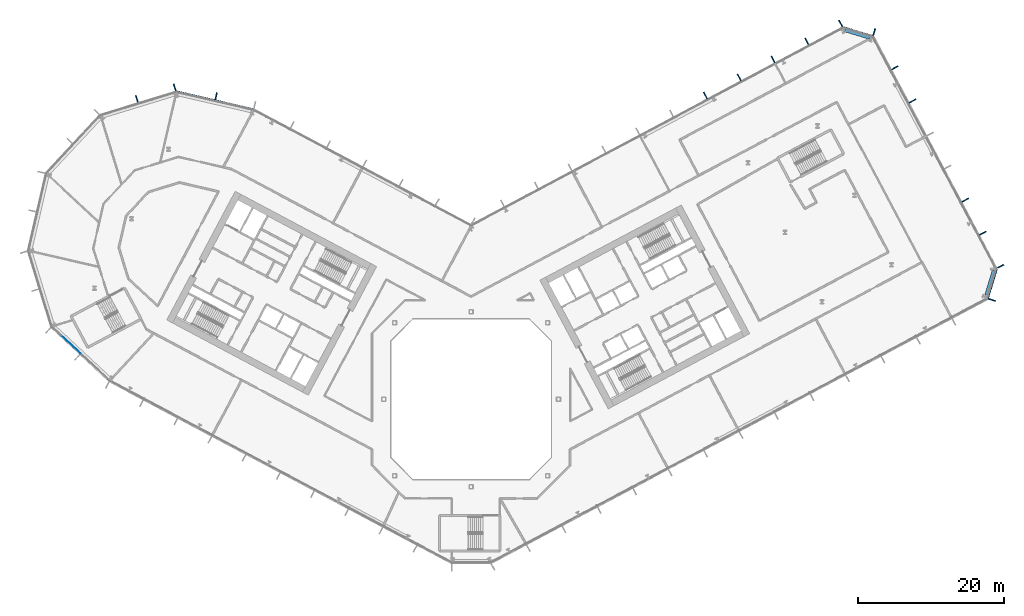
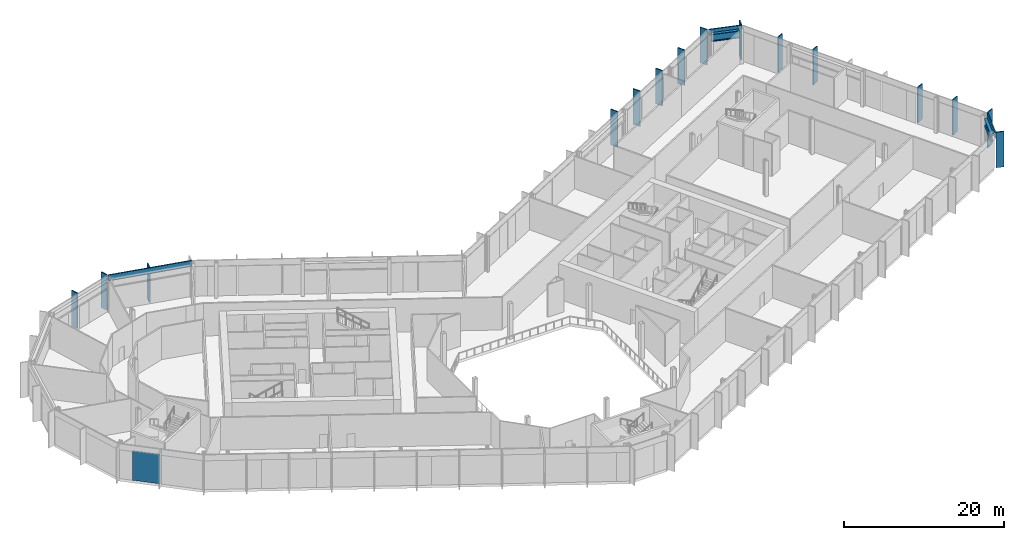
# One storey, part 8 of 31: 18 members, 2 beams, 1 plate, 7 elements without a shape of their own.
"""IFC4 building model written with IfcOpenShell, lengths in metres."""

from ifc_helpers import new_model, si_unit, direction, frame, origin, origin_2d, place, context, subcontext, project, spatial, rectangle, i_section, extrude, material, layer, layer_set, material_profile, profile_set, type_object, element, aggregate, save


model = new_model("IFC4")

# Units and contexts
model_context = context("Model", 3, precision=1e-05, world=origin(), true_north=direction((0.0, 1.0)))
body_context = subcontext(model_context, "Body", "Model", "MODEL_VIEW")
ifc_project = project(units=[si_unit("LENGTHUNIT", "METRE"), si_unit("AREAUNIT", "SQUARE_METRE"), si_unit("VOLUMEUNIT", "CUBIC_METRE"), si_unit("PLANEANGLEUNIT", "RADIAN"), si_unit("MASSUNIT", "GRAM", prefix="KILO")], contexts=[model_context])

# Site, building, storey
site_placement = place(None, origin())
site = spatial("IfcSite", under=ifc_project, at=site_placement, CompositionType="ELEMENT")
building_placement = place(site_placement, origin())
building = spatial("IfcBuilding", under=site, at=building_placement, Name="Cormorant Relay Tower", CompositionType="ELEMENT")
storey_placement = place(building_placement, frame((0.0, 0.0, 50.0)))
storey = spatial("IfcBuildingStorey", under=building, at=storey_placement, Name="L09", CompositionType="ELEMENT", Elevation=50.0)

# Curtain wall, member
ifc_material_1 = material(Name="Aluminium 6063-T6 anodised bronze", Category="aluminium")
ifc_layer_1 = layer(ifc_material_1, 0.235107421875)
ifc_layer_set_1 = layer_set([ifc_layer_1], Name="CW6 data hall curtain wall with mineral wool panels")
curtain_wall_type = type_object("IfcCurtainWallType", Name="CW6 data hall curtain wall with mineral wool panels", PredefinedType="NOTDEFINED", material=ifc_layer_set_1)
curtain_wall_1_placement = place(storey_placement, origin())
curtain_wall_1 = element("IfcCurtainWall", 1, at=curtain_wall_1_placement, inside=storey, type_object=curtain_wall_type, Name="CW6 curtain wall 3", PredefinedType="NOTDEFINED")
ifc_material_2 = material(Name="Aluminium 6063-T6 anodised bronze", Category="aluminium")
ifc_material_profile_1 = material_profile(ifc_material_2, rectangle(XDim=0.14990234375, YDim=1.0, at=origin_2d()), Name="AL 150x1000")
ifc_profile_set_1 = profile_set([ifc_material_profile_1], Name="Aluminium 6063-T6 anodised bronze")
member_type_1 = type_object("IfcMemberType", Name="CW6 bronze fin mullion 150 x 1000", PredefinedType="MULLION", material=ifc_profile_set_1)
member_1_placement = place(storey_placement, frame((71.485107421875, 13.63671875, 0.0), z_axis=(0.0, 0.0, 1.0), x_axis=(0.292371704723, 0.956304755963, 0.0)))
member_1 = element("IfcMember", 2, at=member_1_placement, type_object=member_type_1, Name="CW6 fin 3.1", PredefinedType="MULLION", context=body_context, shape_type="SweptSolid", body=[
    extrude(rectangle(XDim=0.14990234375, YDim=1.0, at=origin_2d()), origin(), (0.0, 0.0, 1.0), 5.39990234375),
])

# Curtain wall, members
curtain_wall_2_placement = place(storey_placement, origin())
curtain_wall_2 = element("IfcCurtainWall", 3, at=curtain_wall_2_placement, inside=storey, type_object=curtain_wall_type, Name="CW6 curtain wall 4", PredefinedType="NOTDEFINED")
member_2_placement = place(storey_placement, frame((72.671630859375, 18.25390625, 0.0), z_axis=(0.0, 0.0, 1.0), x_axis=(-0.469471562786, 0.882947592859, 0.0)))
member_2 = element("IfcMember", 4, at=member_2_placement, type_object=member_type_1, Name="CW6 fin 4.1", PredefinedType="MULLION", context=body_context, shape_type="SweptSolid", body=[
    extrude(rectangle(XDim=0.14990234375, YDim=1.0, at=origin_2d()), origin(), (0.0, 0.0, 1.0), 5.39990234375),
])
member_3_placement = place(storey_placement, frame((70.25732421875, 22.794921875, 0.0), z_axis=(0.0, 0.0, 1.0), x_axis=(-0.469471562786, 0.882947592859, 0.0)))
member_3 = element("IfcMember", 5, at=member_3_placement, type_object=member_type_1, Name="CW6 fin 4.2", PredefinedType="MULLION", context=body_context, shape_type="SweptSolid", body=[
    extrude(rectangle(XDim=0.14990234375, YDim=1.0, at=origin_2d()), origin(), (0.0, 0.0, 1.0), 5.39990234375),
])
member_4_placement = place(storey_placement, frame((67.8427734375, 27.335693359375, 0.0), z_axis=(0.0, 0.0, 1.0), x_axis=(-0.469471562786, 0.882947592859, 0.0)))
member_4 = element("IfcMember", 6, at=member_4_placement, type_object=member_type_1, Name="CW6 fin 4.3", PredefinedType="MULLION", context=body_context, shape_type="SweptSolid", body=[
    extrude(rectangle(XDim=0.14990234375, YDim=1.0, at=origin_2d()), origin(), (0.0, 0.0, 1.0), 5.39990234375),
])
member_5_placement = place(storey_placement, frame((60.599609375, 40.958251953125, 0.0), z_axis=(0.0, 0.0, 1.0), x_axis=(-0.469471562786, 0.882947592859, 0.0)))
member_5 = element("IfcMember", 7, at=member_5_placement, type_object=member_type_1, Name="CW6 fin 4.6", PredefinedType="MULLION", context=body_context, shape_type="SweptSolid", body=[
    extrude(rectangle(XDim=0.14990234375, YDim=1.0, at=origin_2d()), origin(), (0.0, 0.0, 1.0), 5.39990234375),
])
member_6_placement = place(storey_placement, frame((58.18505859375, 45.499267578125, 0.0), z_axis=(0.0, 0.0, 1.0), x_axis=(-0.469471562786, 0.882947592859, 0.0)))
member_6 = element("IfcMember", 8, at=member_6_placement, type_object=member_type_1, Name="CW6 fin 4.7", PredefinedType="MULLION", context=body_context, shape_type="SweptSolid", body=[
    extrude(rectangle(XDim=0.14990234375, YDim=1.0, at=origin_2d()), origin(), (0.0, 0.0, 1.0), 5.39990234375),
])
aggregate(curtain_wall_2, [member_2, member_3, member_4, member_5, member_6])

# Curtain wall, member
curtain_wall_3_placement = place(storey_placement, origin())
curtain_wall_3 = element("IfcCurtainWall", 9, at=curtain_wall_3_placement, inside=storey, type_object=curtain_wall_type, Name="CW6 curtain wall 5", PredefinedType="NOTDEFINED")
member_7_placement = place(storey_placement, frame((55.336669921875, 50.39794921875, 0.0), z_axis=(0.0, 0.0, 1.0), x_axis=(-0.956304755963, 0.292371704723, 0.0)))
member_7 = element("IfcMember", 10, at=member_7_placement, type_object=member_type_1, Name="CW6 fin 5.1", PredefinedType="MULLION", context=body_context, shape_type="SweptSolid", body=[
    extrude(rectangle(XDim=0.14990234375, YDim=1.0, at=origin_2d()), origin(), (0.0, 0.0, 1.0), 5.39990234375),
])

# Curtain wall, members
curtain_wall_4_placement = place(storey_placement, origin())
curtain_wall_4 = element("IfcCurtainWall", 11, at=curtain_wall_4_placement, inside=storey, type_object=curtain_wall_type, Name="CW6 curtain wall 6", PredefinedType="NOTDEFINED")
member_8_placement = place(storey_placement, frame((50.719482421875, 51.58447265625, 0.0), z_axis=(0.0, 0.0, 1.0), x_axis=(-0.882947592859, -0.469471562786, 0.0)))
member_8 = element("IfcMember", 12, at=member_8_placement, type_object=member_type_1, Name="CW6 fin 6.1", PredefinedType="MULLION", context=body_context, shape_type="SweptSolid", body=[
    extrude(rectangle(XDim=0.14990234375, YDim=1.0, at=origin_2d()), origin(), (0.0, 0.0, 1.0), 5.39990234375),
])
member_9_placement = place(storey_placement, frame((46.0771484375, 49.1162109375, 0.0), z_axis=(0.0, 0.0, 1.0), x_axis=(-0.882947592859, -0.469471562786, 0.0)))
member_9 = element("IfcMember", 13, at=member_9_placement, type_object=member_type_1, Name="CW6 fin 6.2", PredefinedType="MULLION", context=body_context, shape_type="SweptSolid", body=[
    extrude(rectangle(XDim=0.14990234375, YDim=1.0, at=origin_2d()), origin(), (0.0, 0.0, 1.0), 5.39990234375),
])
member_10_placement = place(storey_placement, frame((41.43505859375, 46.647705078125, 0.0), z_axis=(0.0, 0.0, 1.0), x_axis=(-0.882947592859, -0.469471562786, 0.0)))
member_10 = element("IfcMember", 14, at=member_10_placement, type_object=member_type_1, Name="CW6 fin 6.3", PredefinedType="MULLION", context=body_context, shape_type="SweptSolid", body=[
    extrude(rectangle(XDim=0.14990234375, YDim=1.0, at=origin_2d()), origin(), (0.0, 0.0, 1.0), 5.39990234375),
])
member_11_placement = place(storey_placement, frame((36.792724609375, 44.179443359375, 0.0), z_axis=(0.0, 0.0, 1.0), x_axis=(-0.882947592859, -0.469471562786, 0.0)))
member_11 = element("IfcMember", 15, at=member_11_placement, type_object=member_type_1, Name="CW6 fin 6.4", PredefinedType="MULLION", context=body_context, shape_type="SweptSolid", body=[
    extrude(rectangle(XDim=0.14990234375, YDim=1.0, at=origin_2d()), origin(), (0.0, 0.0, 1.0), 5.39990234375),
])
member_12_placement = place(storey_placement, frame((32.150390625, 41.711181640625, 0.0), z_axis=(0.0, 0.0, 1.0), x_axis=(-0.882947592859, -0.469471562786, 0.0)))
member_12 = element("IfcMember", 16, at=member_12_placement, type_object=member_type_1, Name="CW6 fin 6.5", PredefinedType="MULLION", context=body_context, shape_type="SweptSolid", body=[
    extrude(rectangle(XDim=0.14990234375, YDim=1.0, at=origin_2d()), origin(), (0.0, 0.0, 1.0), 5.39990234375),
])
aggregate(curtain_wall_4, [member_8, member_9, member_10, member_11, member_12])

# Curtain wall, member
curtain_wall_5_placement = place(storey_placement, origin())
curtain_wall_5 = element("IfcCurtainWall", 17, at=curtain_wall_5_placement, inside=storey, type_object=curtain_wall_type, Name="CW6 curtain wall 8", PredefinedType="NOTDEFINED")
member_13_placement = place(storey_placement, frame((-35.00439453125, 41.60693359375, 0.0), z_axis=(0.0, 0.0, 1.0), x_axis=(-0.974370064785, 0.224951054344, 0.0)))
member_13 = element("IfcMember", 18, at=member_13_placement, type_object=member_type_1, Name="CW6 fin 8.2", PredefinedType="MULLION", context=body_context, shape_type="SweptSolid", body=[
    extrude(rectangle(XDim=0.14990234375, YDim=1.0, at=origin_2d()), origin(), (0.0, 0.0, 1.0), 5.39990234375),
])

# Curtain wall, members
curtain_wall_6_placement = place(storey_placement, origin())
curtain_wall_6 = element("IfcCurtainWall", 19, at=curtain_wall_6_placement, inside=storey, type_object=curtain_wall_type, Name="CW6 curtain wall 9", PredefinedType="NOTDEFINED")
member_14_placement = place(storey_placement, frame((-40.680419921875, 42.81640625, 0.0), z_axis=(0.0, 0.0, 1.0), x_axis=(-0.956304755963, -0.292371704723, 0.0)))
member_14 = element("IfcMember", 20, at=member_14_placement, type_object=member_type_1, Name="CW6 fin 9.1", PredefinedType="MULLION", context=body_context, shape_type="SweptSolid", body=[
    extrude(rectangle(XDim=0.14990234375, YDim=1.0, at=origin_2d()), origin(), (0.0, 0.0, 1.0), 5.39990234375),
])
member_15_placement = place(storey_placement, frame((-45.878173828125, 41.227294921875, 0.0), z_axis=(0.0, 0.0, 1.0), x_axis=(-0.956304755963, -0.292371704723, 0.0)))
member_15 = element("IfcMember", 21, at=member_15_placement, type_object=member_type_1, Name="CW6 fin 9.2", PredefinedType="MULLION", context=body_context, shape_type="SweptSolid", body=[
    extrude(rectangle(XDim=0.14990234375, YDim=1.0, at=origin_2d()), origin(), (0.0, 0.0, 1.0), 5.39990234375),
])
aggregate(curtain_wall_6, [member_14, member_15])

# Member
ifc_material_3 = material(Name="Aluminium 6063-T6 anodised bronze", Category="aluminium")
ifc_material_profile_2 = material_profile(ifc_material_3, rectangle(XDim=0.159912109375, YDim=0.89990234375, at=origin_2d()), Name="AL 160x900")
ifc_profile_set_2 = profile_set([ifc_material_profile_2], Name="Aluminium 6063-T6 anodised bronze")
member_type_2 = type_object("IfcMemberType", Name="CW6 bronze transom 160 x 900", PredefinedType="USERDEFINED", material=ifc_profile_set_2)
member_16_placement = place(storey_placement, frame((70.930419921875, 13.806396484375, 4.949951171875), z_axis=(0.292391046905, 0.95629884225, 0.0), x_axis=(-0.95629884225, 0.292391046905, 0.0)))
member_16 = element("IfcMember", 22, at=member_16_placement, type_object=member_type_2, Name="CW6 transom 3", ObjectType="TRANSOM", PredefinedType="USERDEFINED", context=body_context, shape_type="SweptSolid", body=[
    extrude(rectangle(XDim=0.159912109375, YDim=0.89990234375, at=origin_2d()), origin(), (0.0, 0.0, 1.0), 4.242431640625),
])

aggregate(curtain_wall_1, [member_1, member_16])

member_17_placement = place(storey_placement, frame((55.1669921875, 49.84326171875, 4.949951171875), z_axis=(-0.95629884225, 0.292391046905, 0.0), x_axis=(-0.292391046905, -0.95629884225, 0.0)))
member_17 = element("IfcMember", 23, at=member_17_placement, type_object=member_type_2, Name="CW6 transom 5", ObjectType="TRANSOM", PredefinedType="USERDEFINED", context=body_context, shape_type="SweptSolid", body=[
    extrude(rectangle(XDim=0.159912109375, YDim=0.89990234375, at=origin_2d()), origin(), (0.0, 0.0, 1.0), 4.242431640625),
])

aggregate(curtain_wall_3, [member_7, member_17])

member_18_placement = place(storey_placement, frame((-29.8388671875, 39.819091796875, 4.949951171875), z_axis=(-0.974369993916, 0.22495136131, 0.0), x_axis=(-0.22495136131, -0.974369993916, 0.0)))
member_18 = element("IfcMember", 24, at=member_18_placement, type_object=member_type_2, Name="CW6 transom 8", ObjectType="TRANSOM", PredefinedType="USERDEFINED", context=body_context, shape_type="SweptSolid", body=[
    extrude(rectangle(XDim=0.159912109375, YDim=0.89990234375, at=origin_2d()), origin(), (0.0, 0.0, 1.0), 10.870361328125),
])

aggregate(curtain_wall_5, [member_13, member_18])

# Beams
ifc_material_4 = material(Name="Steel ASTM A992 (Fy 345 MPa)", Category="steel")
ifc_material_profile_3 = material_profile(ifc_material_4, i_section(OverallWidth=0.408935546875, OverallDepth=1.137939453125, WebThickness=0.031005859375, FlangeThickness=0.05517578125, FilletRadius=0.02001953125, at=origin_2d()), Name="W1100x607")
ifc_profile_set_3 = profile_set([ifc_material_profile_3], Name="Steel ASTM A992 (Fy 345 MPa)")
beam_type = type_object("IfcBeamType", Name="Spandrel W1100x607", PredefinedType="SPANDREL", material=ifc_profile_set_3)
beam_1_placement = place(storey_placement, frame((70.697998046875, 14.275390625, 4.381103515625), z_axis=(0.292400100269, 0.956296074112, 0.0), x_axis=(-0.956296074112, 0.292400100269, 0.0)))
element("IfcBeam", 25, at=beam_1_placement, inside=storey, type_object=beam_type, Name="Spandrel beam L09-003", PredefinedType="SPANDREL", context=body_context, shape_type="SweptSolid", body=[
    extrude(i_section(OverallWidth=0.408935546875, OverallDepth=1.137939453125, WebThickness=0.031005859375, FlangeThickness=0.05517578125, FilletRadius=0.02001953125, at=origin_2d()), origin(), (0.0, 0.0, 1.0), 3.552734375),
])
beam_2_placement = place(storey_placement, frame((54.697998046875, 49.61083984375, 4.381103515625), z_axis=(-0.956309414252, 0.292356467713, 0.0), x_axis=(-0.292356467713, -0.956309414252, 0.0)))
element("IfcBeam", 26, at=beam_2_placement, inside=storey, type_object=beam_type, Name="Spandrel beam L09-005", PredefinedType="SPANDREL", context=body_context, shape_type="SweptSolid", body=[
    extrude(i_section(OverallWidth=0.408935546875, OverallDepth=1.137939453125, WebThickness=0.031005859375, FlangeThickness=0.05517578125, FilletRadius=0.02001953125, at=origin_2d()), origin(), (0.0, 0.0, 1.0), 3.552490234375),
])

# Curtain wall, plate
curtain_wall_7_placement = place(storey_placement, origin())
curtain_wall_7 = element("IfcCurtainWall", 27, at=curtain_wall_7_placement, inside=storey, type_object=curtain_wall_type, Name="CW6 curtain wall 13", PredefinedType="NOTDEFINED")
ifc_material_5 = material(Name="Tinted triple-glazed laminated unit")
ifc_layer_2 = layer(ifc_material_5, 0.074951171875)
ifc_layer_set_2 = layer_set([ifc_layer_2], Name="CW6 triple-glazed vision unit 3600 module")
plate_type = type_object("IfcPlateType", Name="CW6 triple-glazed vision unit 3600 module", PredefinedType="CURTAIN_PANEL", material=ifc_layer_set_2)
plate_placement = place(storey_placement, frame((-54.96337890625, 7.54248046875, 0.0), z_axis=(0.0, 0.0, 1.0), x_axis=(0.731353701619, -0.681998360062, 0.0)))
plate = element("IfcPlate", 28, at=plate_placement, type_object=plate_type, Name="CW6 panel V01", PredefinedType="CURTAIN_PANEL", context=body_context, shape_type="SweptSolid", body=[
    extrude(rectangle(XDim=3.60009765625, YDim=0.074951171875, at=origin_2d()), origin(), (0.0, 0.0, 1.0), 4.5),
])
aggregate(curtain_wall_7, [plate])

save(model, "model.ifc")
